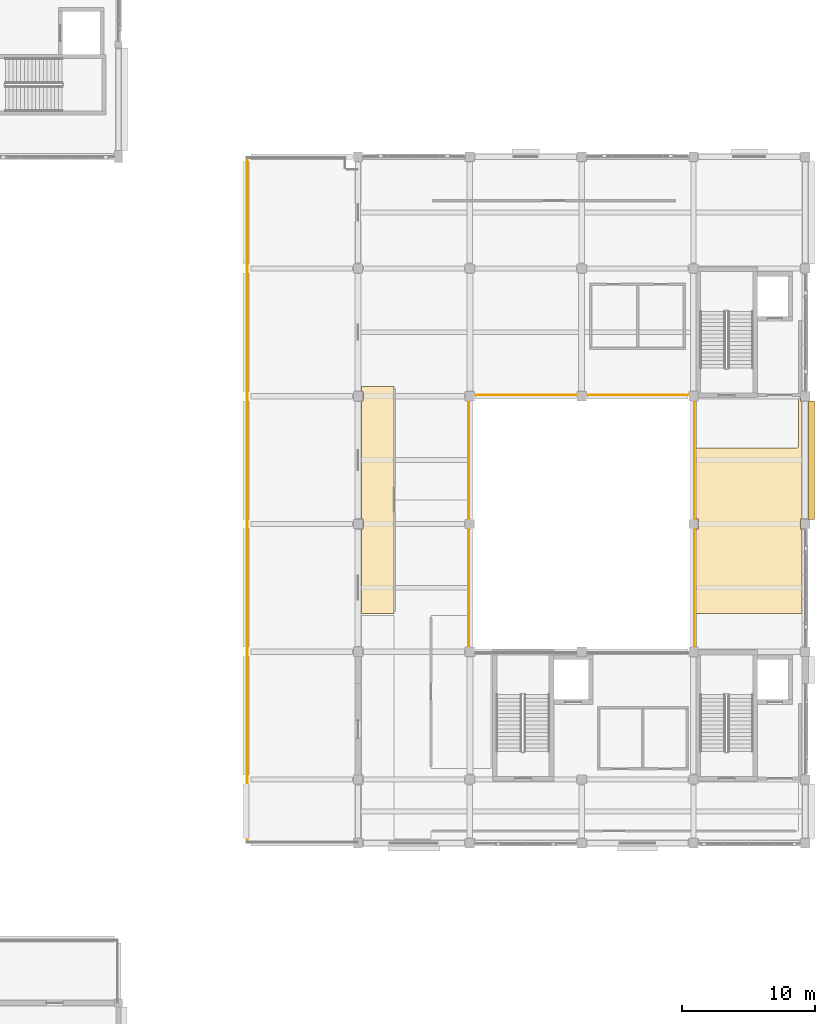
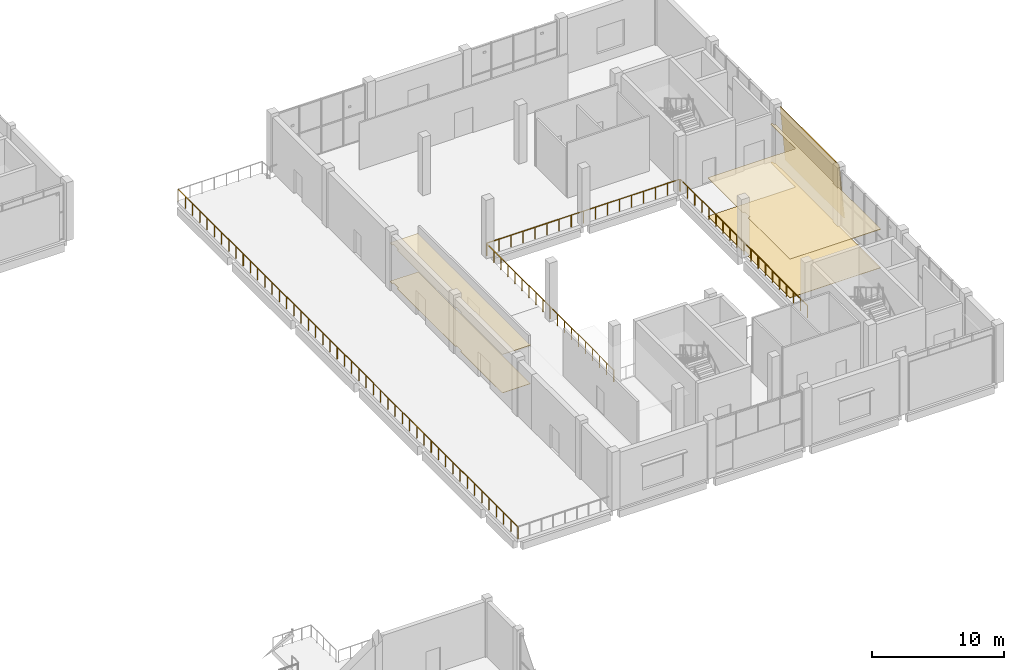
# One storey, part 81 of 83: 5 coverings, 4 railings.
"""IFC4 building model written with IfcOpenShell, lengths in metres."""

from ifc_helpers import new_model, si_unit, direction, frame, origin, origin_2d, place, context, subcontext, project, spatial, polyline, circle, outline, extrude, material, layer, layer_set, type_object, element, save


model = new_model("IFC4")

# Units and contexts
model_context = context("Model", 3, precision=1e-05, world=origin(), true_north=direction((0.0, 1.0)))
body_context = subcontext(model_context, "Body", "Model", "MODEL_VIEW")
ifc_project = project(units=[si_unit("LENGTHUNIT", "METRE"), si_unit("AREAUNIT", "SQUARE_METRE"), si_unit("VOLUMEUNIT", "CUBIC_METRE"), si_unit("PLANEANGLEUNIT", "RADIAN"), si_unit("MASSUNIT", "GRAM", prefix="KILO")], contexts=[model_context])

# Site, building, storey
site_placement = place(None, origin())
site = spatial("IfcSite", under=ifc_project, at=site_placement, CompositionType="ELEMENT")
building_placement = place(site_placement, origin())
building = spatial("IfcBuilding", under=site, at=building_placement, Name="Shalvenor Court Art Gallery", CompositionType="ELEMENT")
storey_placement = place(building_placement, frame((0.0, 0.0, 6.0)))
storey = spatial("IfcBuildingStorey", under=building, at=storey_placement, Name="L01", CompositionType="ELEMENT", Elevation=6.0)

# Coverings
ifc_material_1 = material(Name="Pale Mediterranean limestone cladding", Category="masonry")
ifc_layer_1 = layer(ifc_material_1, 0.080078125, Name="Pale Mediterranean limestone cladding")
ifc_layer_set_1 = layer_set([ifc_layer_1], Name="Pale Mediterranean limestone cladding")
covering_type_1 = type_object("IfcCoveringType", Name="CLD-01", PredefinedType="CLADDING", material=ifc_layer_set_1)
covering_1_placement = place(storey_placement, frame((177.09228515625, 69.949951171875, 0.0), z_axis=(0.0, 0.0, 1.0), x_axis=(0.0, 1.0, 0.0)))
element("IfcCovering", 1, at=covering_1_placement, inside=storey, type_object=covering_type_1, Name="L01 V1 Tapered Limestone Cladding 6", PredefinedType="CLADDING", context=body_context, shape_type="SweptSolid", body=[
    extrude(outline(polyline([(0.0, 0.0), (8.900146484375, 0.0), (8.900146484375, 5.10107421875), (0.0, 5.10107421875), (0.0, 0.0)])), frame((0.0, 0.0, 0.0), z_axis=(0.0, -0.995884398616, 0.090632580198), x_axis=(1.0, 0.0, 0.0)), (0.0, 0.090632580198, -0.995884398616), 0.080322265625),
])
ifc_material_2 = material(Name="Perforated acoustic gypsum gallery ceiling", Category="other")
ifc_layer_2 = layer(ifc_material_2, 0.044921875, Name="Perforated acoustic gypsum gallery ceiling")
ifc_layer_set_2 = layer_set([ifc_layer_2], Name="Perforated acoustic gypsum gallery ceiling")
covering_type_2 = type_object("IfcCoveringType", Name="CLG-01", PredefinedType="CEILING", material=ifc_layer_set_2)
covering_2_placement = place(storey_placement, frame((0.0, 0.0, 3.550048828125)))
element("IfcCovering", 2, at=covering_2_placement, inside=storey, type_object=covering_type_2, Name="L01 Photography Exhibition Gallery Acoustic Ceiling", PredefinedType="CEILING", context=body_context, shape_type="SweptSolid", body=[
    extrude(outline(polyline([(175.800048828125, 75.320068359375), (175.807861328125, 75.3203125), (175.815673828125, 75.321533203125), (175.8232421875, 75.323486328125), (175.83056640625, 75.326171875), (175.837646484375, 75.329345703125), (175.844482421875, 75.33349609375), (175.850830078125, 75.338134765625), (175.856689453125, 75.343505859375), (175.86181640625, 75.34912109375), (175.866455078125, 75.355712890625), (175.87060546875, 75.3623046875), (175.873779296875, 75.369384765625), (175.876708984375, 75.376708984375), (175.87841796875, 75.384521484375), (175.879638671875, 75.39208984375), (175.8798828125, 75.39990234375), (175.8798828125, 79.080078125), (176.0, 79.080078125), (176.021484375, 79.0810546875), (176.030029296875, 79.082275390625), (176.030029296875, 78.830078125), (176.14990234375, 78.830078125), (176.14990234375, 69.969970703125), (176.030029296875, 69.969970703125), (176.030029296875, 69.22998046875), (176.14990234375, 69.22998046875), (176.14990234375, 62.8798828125), (168.199951171875, 62.8798828125), (168.199951171875, 69.22998046875), (168.3701171875, 69.22998046875), (168.3701171875, 69.969970703125), (168.199951171875, 69.969970703125), (168.199951171875, 75.320068359375), (175.800048828125, 75.320068359375)])), origin(), (0.0, 0.0, 1.0), 0.044921875),
])
covering_3_placement = place(storey_placement, frame((0.0, 0.0, 3.550048828125)))
element("IfcCovering", 3, at=covering_3_placement, inside=storey, type_object=covering_type_2, Name="L01 Photography Exhibition Gallery Wing B Acoustic Ceiling", PredefinedType="CEILING", context=body_context, shape_type="SweptSolid", body=[
    extrude(outline(polyline([(143.050048828125, 62.8798828125), (143.050048828125, 69.22998046875), (143.169921875, 69.22998046875), (143.169921875, 69.969970703125), (143.050048828125, 69.969970703125), (143.050048828125, 78.830078125), (143.169921875, 78.830078125), (143.169921875, 79.570068359375), (143.050048828125, 79.570068359375), (143.050048828125, 79.919921875), (145.52001953125, 79.919921875), (145.52001953125, 62.8798828125), (143.050048828125, 62.8798828125)])), origin(), (0.0, 0.0, 1.0), 0.044921875),
])
ifc_material_3 = material(Name="Quarter-sawn white oak gallery flooring", Category="wood")
ifc_layer_3 = layer(ifc_material_3, 0.031982421875, Name="Quarter-sawn white oak gallery flooring")
ifc_layer_set_3 = layer_set([ifc_layer_3], Name="Quarter-sawn white oak gallery flooring")
covering_type_3 = type_object("IfcCoveringType", Name="FLR-02", PredefinedType="FLOORING", material=ifc_layer_set_3)
covering_4_placement = place(storey_placement, origin())
element("IfcCovering", 4, at=covering_4_placement, inside=storey, type_object=covering_type_3, Name="L01 Photography Exhibition Gallery Flooring", PredefinedType="FLOORING", context=body_context, shape_type="SweptSolid", body=[
    extrude(outline(polyline([(175.800048828125, 75.320068359375), (175.807861328125, 75.3203125), (175.815673828125, 75.321533203125), (175.8232421875, 75.323486328125), (175.83056640625, 75.326171875), (175.837646484375, 75.329345703125), (175.844482421875, 75.33349609375), (175.850830078125, 75.338134765625), (175.856689453125, 75.343505859375), (175.86181640625, 75.34912109375), (175.866455078125, 75.355712890625), (175.87060546875, 75.3623046875), (175.873779296875, 75.369384765625), (175.876708984375, 75.376708984375), (175.87841796875, 75.384521484375), (175.879638671875, 75.39208984375), (175.8798828125, 75.39990234375), (175.8798828125, 79.080078125), (176.0, 79.080078125), (176.021484375, 79.0810546875), (176.030029296875, 79.082275390625), (176.030029296875, 78.830078125), (176.14990234375, 78.830078125), (176.14990234375, 69.969970703125), (176.030029296875, 69.969970703125), (176.030029296875, 69.22998046875), (176.14990234375, 69.22998046875), (176.14990234375, 62.8798828125), (168.199951171875, 62.8798828125), (168.199951171875, 69.22998046875), (168.3701171875, 69.22998046875), (168.3701171875, 69.969970703125), (168.199951171875, 69.969970703125), (168.199951171875, 75.320068359375), (175.800048828125, 75.320068359375)])), origin(), (0.0, 0.0, 1.0), 0.031982421875),
])
covering_5_placement = place(storey_placement, origin())
element("IfcCovering", 5, at=covering_5_placement, inside=storey, type_object=covering_type_3, Name="L01 Photography Exhibition Gallery Wing B Flooring", PredefinedType="FLOORING", context=body_context, shape_type="SweptSolid", body=[
    extrude(outline(polyline([(143.050048828125, 62.8798828125), (143.050048828125, 69.22998046875), (143.169921875, 69.22998046875), (143.169921875, 69.969970703125), (143.050048828125, 69.969970703125), (143.050048828125, 78.830078125), (143.169921875, 78.830078125), (143.169921875, 79.570068359375), (143.050048828125, 79.570068359375), (143.050048828125, 79.919921875), (145.52001953125, 79.919921875), (145.52001953125, 62.8798828125), (143.050048828125, 62.8798828125)])), origin(), (0.0, 0.0, 1.0), 0.031982421875),
])

# Railings
ifc_material_4 = material(Name="Stainless steel and laminated glass balustrade", Category="steel")
railing_type = type_object("IfcRailingType", Name="GR-01", PredefinedType="BALUSTRADE", material=ifc_material_4)
railing_1_placement = place(storey_placement, frame((134.47998046875, 45.659912109375, 0.0)))
element("IfcRailing", 6, at=railing_1_placement, inside=storey, type_object=railing_type, Name="L01 V1 Terrace Balustrade 2", PredefinedType="BALUSTRADE", context=body_context, shape_type="SweptSolid", body=[
    extrude(circle(Radius=0.02392578125, at=origin_2d()), frame((0.0, 0.0, 1.09619140625), z_axis=(0.0, 1.0, 0.0), x_axis=(-1.0, 0.0, 0.0)), (0.0, 0.0, 1.0), 51.47998046875),
    extrude(circle(Radius=0.02099609375, at=origin_2d()), origin(), (0.0, 0.0, 1.0), 1.072021484375),
    extrude(circle(Radius=0.02099609375, at=origin_2d()), frame((0.0, 1.09521484375, 0.0)), (0.0, 0.0, 1.0), 1.072021484375),
    extrude(circle(Radius=0.02099609375, at=origin_2d()), frame((0.0, 2.190673828125, 0.0)), (0.0, 0.0, 1.0), 1.072021484375),
    extrude(circle(Radius=0.02099609375, at=origin_2d()), frame((0.0, 3.285888671875, 0.0)), (0.0, 0.0, 1.0), 1.072021484375),
    extrude(circle(Radius=0.02099609375, at=origin_2d()), frame((0.0, 4.38134765625, 0.0)), (0.0, 0.0, 1.0), 1.072021484375),
    extrude(circle(Radius=0.02099609375, at=origin_2d()), frame((0.0, 5.4765625, 0.0)), (0.0, 0.0, 1.0), 1.072021484375),
    extrude(circle(Radius=0.02099609375, at=origin_2d()), frame((0.0, 6.572021484375, 0.0)), (0.0, 0.0, 1.0), 1.072021484375),
    extrude(circle(Radius=0.02099609375, at=origin_2d()), frame((0.0, 7.667236328125, 0.0)), (0.0, 0.0, 1.0), 1.072021484375),
    extrude(circle(Radius=0.02099609375, at=origin_2d()), frame((0.0, 8.762451171875, 0.0)), (0.0, 0.0, 1.0), 1.072021484375),
    extrude(circle(Radius=0.02099609375, at=origin_2d()), frame((0.0, 9.85791015625, 0.0)), (0.0, 0.0, 1.0), 1.072021484375),
    extrude(circle(Radius=0.02099609375, at=origin_2d()), frame((0.0, 10.953125, 0.0)), (0.0, 0.0, 1.0), 1.072021484375),
    extrude(circle(Radius=0.02099609375, at=origin_2d()), frame((0.0, 12.048583984375, 0.0)), (0.0, 0.0, 1.0), 1.072021484375),
    extrude(circle(Radius=0.02099609375, at=origin_2d()), frame((0.0, 13.143798828125, 0.0)), (0.0, 0.0, 1.0), 1.072021484375),
    extrude(circle(Radius=0.02099609375, at=origin_2d()), frame((0.0, 14.2392578125, 0.0)), (0.0, 0.0, 1.0), 1.072021484375),
    extrude(circle(Radius=0.02099609375, at=origin_2d()), frame((0.0, 15.33447265625, 0.0)), (0.0, 0.0, 1.0), 1.072021484375),
    extrude(circle(Radius=0.02099609375, at=origin_2d()), frame((0.0, 16.4296875, 0.0)), (0.0, 0.0, 1.0), 1.072021484375),
    extrude(circle(Radius=0.02099609375, at=origin_2d()), frame((0.0, 17.525146484375, 0.0)), (0.0, 0.0, 1.0), 1.072021484375),
    extrude(circle(Radius=0.02099609375, at=origin_2d()), frame((0.0, 18.620361328125, 0.0)), (0.0, 0.0, 1.0), 1.072021484375),
    extrude(circle(Radius=0.02099609375, at=origin_2d()), frame((0.0, 19.7158203125, 0.0)), (0.0, 0.0, 1.0), 1.072021484375),
    extrude(circle(Radius=0.02099609375, at=origin_2d()), frame((0.0, 20.81103515625, 0.0)), (0.0, 0.0, 1.0), 1.072021484375),
    extrude(circle(Radius=0.02099609375, at=origin_2d()), frame((0.0, 21.906494140625, 0.0)), (0.0, 0.0, 1.0), 1.072021484375),
    extrude(circle(Radius=0.02099609375, at=origin_2d()), frame((0.0, 23.001708984375, 0.0)), (0.0, 0.0, 1.0), 1.072021484375),
    extrude(circle(Radius=0.02099609375, at=origin_2d()), frame((0.0, 24.096923828125, 0.0)), (0.0, 0.0, 1.0), 1.072021484375),
    extrude(circle(Radius=0.02099609375, at=origin_2d()), frame((0.0, 25.1923828125, 0.0)), (0.0, 0.0, 1.0), 1.072021484375),
    extrude(circle(Radius=0.02099609375, at=origin_2d()), frame((0.0, 26.28759765625, 0.0)), (0.0, 0.0, 1.0), 1.072021484375),
    extrude(circle(Radius=0.02099609375, at=origin_2d()), frame((0.0, 27.383056640625, 0.0)), (0.0, 0.0, 1.0), 1.072021484375),
    extrude(circle(Radius=0.02099609375, at=origin_2d()), frame((0.0, 28.478271484375, 0.0)), (0.0, 0.0, 1.0), 1.072021484375),
    extrude(circle(Radius=0.02099609375, at=origin_2d()), frame((0.0, 29.573486328125, 0.0)), (0.0, 0.0, 1.0), 1.072021484375),
    extrude(circle(Radius=0.02099609375, at=origin_2d()), frame((0.0, 30.6689453125, 0.0)), (0.0, 0.0, 1.0), 1.072021484375),
    extrude(circle(Radius=0.02099609375, at=origin_2d()), frame((0.0, 31.76416015625, 0.0)), (0.0, 0.0, 1.0), 1.072021484375),
    extrude(circle(Radius=0.02099609375, at=origin_2d()), frame((0.0, 32.859619140625, 0.0)), (0.0, 0.0, 1.0), 1.072021484375),
    extrude(circle(Radius=0.02099609375, at=origin_2d()), frame((0.0, 33.954833984375, 0.0)), (0.0, 0.0, 1.0), 1.072021484375),
    extrude(circle(Radius=0.02099609375, at=origin_2d()), frame((0.0, 35.05029296875, 0.0)), (0.0, 0.0, 1.0), 1.072021484375),
    extrude(circle(Radius=0.02099609375, at=origin_2d()), frame((0.0, 36.1455078125, 0.0)), (0.0, 0.0, 1.0), 1.072021484375),
    extrude(circle(Radius=0.02099609375, at=origin_2d()), frame((0.0, 37.24072265625, 0.0)), (0.0, 0.0, 1.0), 1.072021484375),
    extrude(circle(Radius=0.02099609375, at=origin_2d()), frame((0.0, 38.336181640625, 0.0)), (0.0, 0.0, 1.0), 1.072021484375),
    extrude(circle(Radius=0.02099609375, at=origin_2d()), frame((0.0, 39.431396484375, 0.0)), (0.0, 0.0, 1.0), 1.072021484375),
    extrude(circle(Radius=0.02099609375, at=origin_2d()), frame((0.0, 40.52685546875, 0.0)), (0.0, 0.0, 1.0), 1.072021484375),
    extrude(circle(Radius=0.02099609375, at=origin_2d()), frame((0.0, 41.6220703125, 0.0)), (0.0, 0.0, 1.0), 1.072021484375),
    extrude(circle(Radius=0.02099609375, at=origin_2d()), frame((0.0, 42.717529296875, 0.0)), (0.0, 0.0, 1.0), 1.072021484375),
    extrude(circle(Radius=0.02099609375, at=origin_2d()), frame((0.0, 43.812744140625, 0.0)), (0.0, 0.0, 1.0), 1.072021484375),
    extrude(circle(Radius=0.02099609375, at=origin_2d()), frame((0.0, 44.907958984375, 0.0)), (0.0, 0.0, 1.0), 1.072021484375),
    extrude(circle(Radius=0.02099609375, at=origin_2d()), frame((0.0, 46.00341796875, 0.0)), (0.0, 0.0, 1.0), 1.072021484375),
    extrude(circle(Radius=0.02099609375, at=origin_2d()), frame((0.0, 47.0986328125, 0.0)), (0.0, 0.0, 1.0), 1.072021484375),
    extrude(circle(Radius=0.02099609375, at=origin_2d()), frame((0.0, 48.194091796875, 0.0)), (0.0, 0.0, 1.0), 1.072021484375),
    extrude(circle(Radius=0.02099609375, at=origin_2d()), frame((0.0, 49.289306640625, 0.0)), (0.0, 0.0, 1.0), 1.072021484375),
    extrude(circle(Radius=0.02099609375, at=origin_2d()), frame((0.0, 50.384765625, 0.0)), (0.0, 0.0, 1.0), 1.072021484375),
    extrude(circle(Radius=0.02099609375, at=origin_2d()), frame((0.0, 51.47998046875, 0.0)), (0.0, 0.0, 1.0), 1.072021484375),
])
railing_2_placement = place(storey_placement, frame((168.080078125, 59.97998046875, 0.0)))
element("IfcRailing", 7, at=railing_2_placement, inside=storey, type_object=railing_type, Name="L01 Atrium Gallery Balustrade 2", PredefinedType="BALUSTRADE", context=body_context, shape_type="SweptSolid", body=[
    extrude(circle(Radius=0.02392578125, at=origin_2d()), frame((0.0, 0.0, 1.09619140625), z_axis=(0.0, 1.0, 0.0), x_axis=(-1.0, 0.0, 0.0)), (0.0, 0.0, 1.0), 19.239990234375),
    extrude(circle(Radius=0.02099609375, at=origin_2d()), origin(), (0.0, 0.0, 1.0), 1.072021484375),
    extrude(circle(Radius=0.02099609375, at=origin_2d()), frame((0.0, 1.06884765625, 0.0)), (0.0, 0.0, 1.0), 1.072021484375),
    extrude(circle(Radius=0.02099609375, at=origin_2d()), frame((0.0, 2.1376953125, 0.0)), (0.0, 0.0, 1.0), 1.072021484375),
    extrude(circle(Radius=0.02099609375, at=origin_2d()), frame((0.0, 3.20654296875, 0.0)), (0.0, 0.0, 1.0), 1.072021484375),
    extrude(circle(Radius=0.02099609375, at=origin_2d()), frame((0.0, 4.275634765625, 0.0)), (0.0, 0.0, 1.0), 1.072021484375),
    extrude(circle(Radius=0.02099609375, at=origin_2d()), frame((0.0, 5.344482421875, 0.0)), (0.0, 0.0, 1.0), 1.072021484375),
    extrude(circle(Radius=0.02099609375, at=origin_2d()), frame((0.0, 6.413330078125, 0.0)), (0.0, 0.0, 1.0), 1.072021484375),
    extrude(circle(Radius=0.02099609375, at=origin_2d()), frame((0.0, 7.482177734375, 0.0)), (0.0, 0.0, 1.0), 1.072021484375),
    extrude(circle(Radius=0.02099609375, at=origin_2d()), frame((0.0, 8.551025390625, 0.0)), (0.0, 0.0, 1.0), 1.072021484375),
    extrude(circle(Radius=0.02099609375, at=origin_2d()), frame((0.0, 9.6201171875, 0.0)), (0.0, 0.0, 1.0), 1.072021484375),
    extrude(circle(Radius=0.02099609375, at=origin_2d()), frame((0.0, 10.68896484375, 0.0)), (0.0, 0.0, 1.0), 1.072021484375),
    extrude(circle(Radius=0.02099609375, at=origin_2d()), frame((0.0, 11.7578125, 0.0)), (0.0, 0.0, 1.0), 1.072021484375),
    extrude(circle(Radius=0.02099609375, at=origin_2d()), frame((0.0, 12.82666015625, 0.0)), (0.0, 0.0, 1.0), 1.072021484375),
    extrude(circle(Radius=0.02099609375, at=origin_2d()), frame((0.0, 13.8955078125, 0.0)), (0.0, 0.0, 1.0), 1.072021484375),
    extrude(circle(Radius=0.02099609375, at=origin_2d()), frame((0.0, 14.96435546875, 0.0)), (0.0, 0.0, 1.0), 1.072021484375),
    extrude(circle(Radius=0.02099609375, at=origin_2d()), frame((0.0, 16.033203125, 0.0)), (0.0, 0.0, 1.0), 1.072021484375),
    extrude(circle(Radius=0.02099609375, at=origin_2d()), frame((0.0, 17.102294921875, 0.0)), (0.0, 0.0, 1.0), 1.072021484375),
    extrude(circle(Radius=0.02099609375, at=origin_2d()), frame((0.0, 18.171142578125, 0.0)), (0.0, 0.0, 1.0), 1.072021484375),
    extrude(circle(Radius=0.02099609375, at=origin_2d()), frame((0.0, 19.239990234375, 0.0)), (0.0, 0.0, 1.0), 1.072021484375),
])
railing_3_placement = place(storey_placement, frame((168.02001953125, 79.280029296875, 0.0)))
element("IfcRailing", 8, at=railing_3_placement, inside=storey, type_object=railing_type, Name="L01 Atrium Gallery Balustrade 3", PredefinedType="BALUSTRADE", context=body_context, shape_type="SweptSolid", body=[
    extrude(circle(Radius=0.02392578125, at=origin_2d()), frame((0.0, 0.0, 1.09619140625), z_axis=(-1.0, 0.0, 0.0), x_axis=(0.0, -1.0, 0.0)), (0.0, 0.0, 1.0), 16.840087890625),
    extrude(circle(Radius=0.02099609375, at=origin_2d()), origin(), (0.0, 0.0, 1.0), 1.072021484375),
    extrude(circle(Radius=0.02099609375, at=origin_2d()), frame((-1.052490234375, 0.0, 0.0)), (0.0, 0.0, 1.0), 1.072021484375),
    extrude(circle(Radius=0.02099609375, at=origin_2d()), frame((-2.10498046875, 0.0, 0.0)), (0.0, 0.0, 1.0), 1.072021484375),
    extrude(circle(Radius=0.02099609375, at=origin_2d()), frame((-3.157470703125, 0.0, 0.0)), (0.0, 0.0, 1.0), 1.072021484375),
    extrude(circle(Radius=0.02099609375, at=origin_2d()), frame((-4.2099609375, 0.0, 0.0)), (0.0, 0.0, 1.0), 1.072021484375),
    extrude(circle(Radius=0.02099609375, at=origin_2d()), frame((-5.262451171875, 0.0, 0.0)), (0.0, 0.0, 1.0), 1.072021484375),
    extrude(circle(Radius=0.02099609375, at=origin_2d()), frame((-6.31494140625, 0.0, 0.0)), (0.0, 0.0, 1.0), 1.072021484375),
    extrude(circle(Radius=0.02099609375, at=origin_2d()), frame((-7.367431640625, 0.0, 0.0)), (0.0, 0.0, 1.0), 1.072021484375),
    extrude(circle(Radius=0.02099609375, at=origin_2d()), frame((-8.419921875, 0.0, 0.0)), (0.0, 0.0, 1.0), 1.072021484375),
    extrude(circle(Radius=0.02099609375, at=origin_2d()), frame((-9.47265625, 0.0, 0.0)), (0.0, 0.0, 1.0), 1.072021484375),
    extrude(circle(Radius=0.02099609375, at=origin_2d()), frame((-10.525146484375, 0.0, 0.0)), (0.0, 0.0, 1.0), 1.072021484375),
    extrude(circle(Radius=0.02099609375, at=origin_2d()), frame((-11.57763671875, 0.0, 0.0)), (0.0, 0.0, 1.0), 1.072021484375),
    extrude(circle(Radius=0.02099609375, at=origin_2d()), frame((-12.630126953125, 0.0, 0.0)), (0.0, 0.0, 1.0), 1.072021484375),
    extrude(circle(Radius=0.02099609375, at=origin_2d()), frame((-13.6826171875, 0.0, 0.0)), (0.0, 0.0, 1.0), 1.072021484375),
    extrude(circle(Radius=0.02099609375, at=origin_2d()), frame((-14.735107421875, 0.0, 0.0)), (0.0, 0.0, 1.0), 1.072021484375),
    extrude(circle(Radius=0.02099609375, at=origin_2d()), frame((-15.78759765625, 0.0, 0.0)), (0.0, 0.0, 1.0), 1.072021484375),
    extrude(circle(Radius=0.02099609375, at=origin_2d()), frame((-16.840087890625, 0.0, 0.0)), (0.0, 0.0, 1.0), 1.072021484375),
])
railing_4_placement = place(storey_placement, frame((151.1201171875, 79.219970703125, 0.0)))
element("IfcRailing", 9, at=railing_4_placement, inside=storey, type_object=railing_type, Name="L01 Atrium Gallery Balustrade 4", PredefinedType="BALUSTRADE", context=body_context, shape_type="SweptSolid", body=[
    extrude(circle(Radius=0.02392578125, at=origin_2d()), frame((0.0, 0.0, 1.09619140625), z_axis=(0.0, -1.0, 0.0), x_axis=(1.0, 0.0, 0.0)), (0.0, 0.0, 1.0), 19.239990234375),
    extrude(circle(Radius=0.02099609375, at=origin_2d()), origin(), (0.0, 0.0, 1.0), 1.072021484375),
    extrude(circle(Radius=0.02099609375, at=origin_2d()), frame((0.0, -1.06884765625, 0.0)), (0.0, 0.0, 1.0), 1.072021484375),
    extrude(circle(Radius=0.02099609375, at=origin_2d()), frame((0.0, -2.1376953125, 0.0)), (0.0, 0.0, 1.0), 1.072021484375),
    extrude(circle(Radius=0.02099609375, at=origin_2d()), frame((0.0, -3.20654296875, 0.0)), (0.0, 0.0, 1.0), 1.072021484375),
    extrude(circle(Radius=0.02099609375, at=origin_2d()), frame((0.0, -4.275634765625, 0.0)), (0.0, 0.0, 1.0), 1.072021484375),
    extrude(circle(Radius=0.02099609375, at=origin_2d()), frame((0.0, -5.344482421875, 0.0)), (0.0, 0.0, 1.0), 1.072021484375),
    extrude(circle(Radius=0.02099609375, at=origin_2d()), frame((0.0, -6.413330078125, 0.0)), (0.0, 0.0, 1.0), 1.072021484375),
    extrude(circle(Radius=0.02099609375, at=origin_2d()), frame((0.0, -7.482177734375, 0.0)), (0.0, 0.0, 1.0), 1.072021484375),
    extrude(circle(Radius=0.02099609375, at=origin_2d()), frame((0.0, -8.551025390625, 0.0)), (0.0, 0.0, 1.0), 1.072021484375),
    extrude(circle(Radius=0.02099609375, at=origin_2d()), frame((0.0, -9.6201171875, 0.0)), (0.0, 0.0, 1.0), 1.072021484375),
    extrude(circle(Radius=0.02099609375, at=origin_2d()), frame((0.0, -10.68896484375, 0.0)), (0.0, 0.0, 1.0), 1.072021484375),
    extrude(circle(Radius=0.02099609375, at=origin_2d()), frame((0.0, -11.7578125, 0.0)), (0.0, 0.0, 1.0), 1.072021484375),
    extrude(circle(Radius=0.02099609375, at=origin_2d()), frame((0.0, -12.82666015625, 0.0)), (0.0, 0.0, 1.0), 1.072021484375),
    extrude(circle(Radius=0.02099609375, at=origin_2d()), frame((0.0, -13.8955078125, 0.0)), (0.0, 0.0, 1.0), 1.072021484375),
    extrude(circle(Radius=0.02099609375, at=origin_2d()), frame((0.0, -14.96435546875, 0.0)), (0.0, 0.0, 1.0), 1.072021484375),
    extrude(circle(Radius=0.02099609375, at=origin_2d()), frame((0.0, -16.033203125, 0.0)), (0.0, 0.0, 1.0), 1.072021484375),
    extrude(circle(Radius=0.02099609375, at=origin_2d()), frame((0.0, -17.102294921875, 0.0)), (0.0, 0.0, 1.0), 1.072021484375),
    extrude(circle(Radius=0.02099609375, at=origin_2d()), frame((0.0, -18.171142578125, 0.0)), (0.0, 0.0, 1.0), 1.072021484375),
    extrude(circle(Radius=0.02099609375, at=origin_2d()), frame((0.0, -19.239990234375, 0.0)), (0.0, 0.0, 1.0), 1.072021484375),
])

save(model, "model.ifc")
